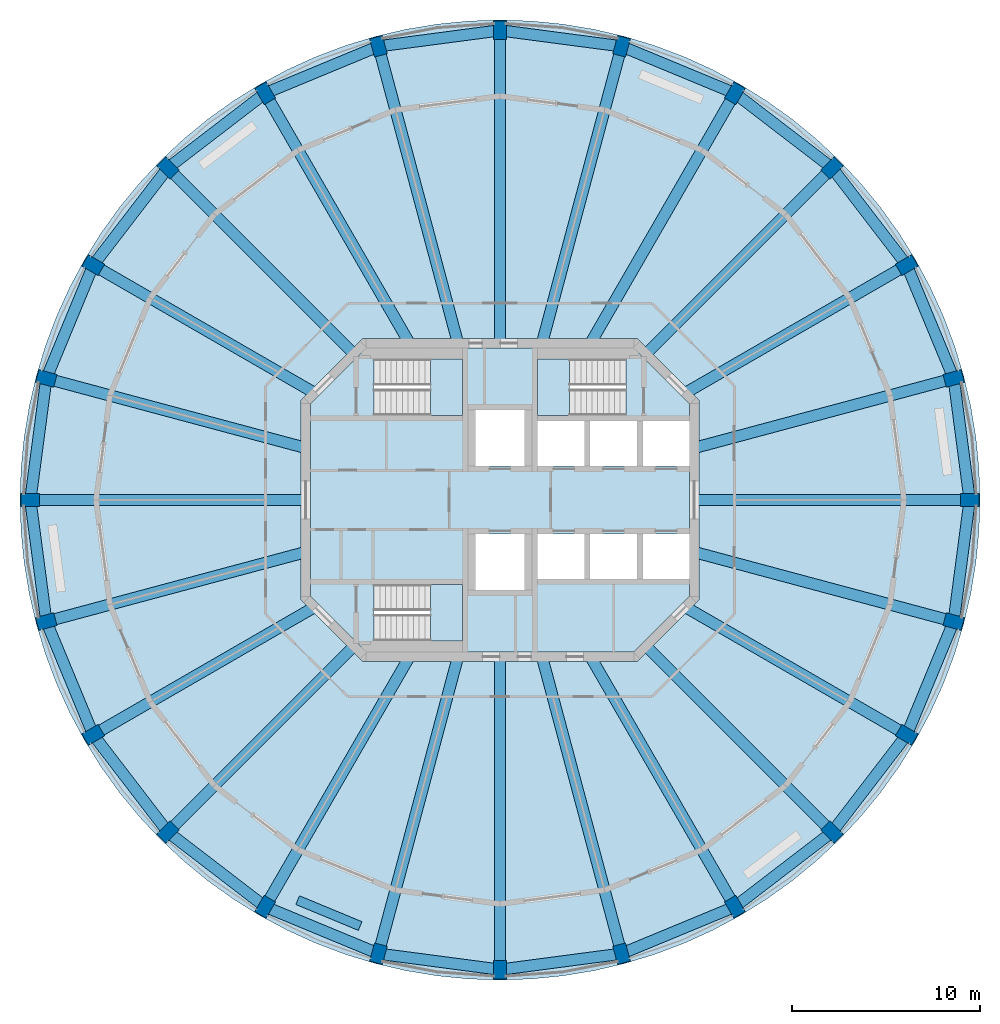
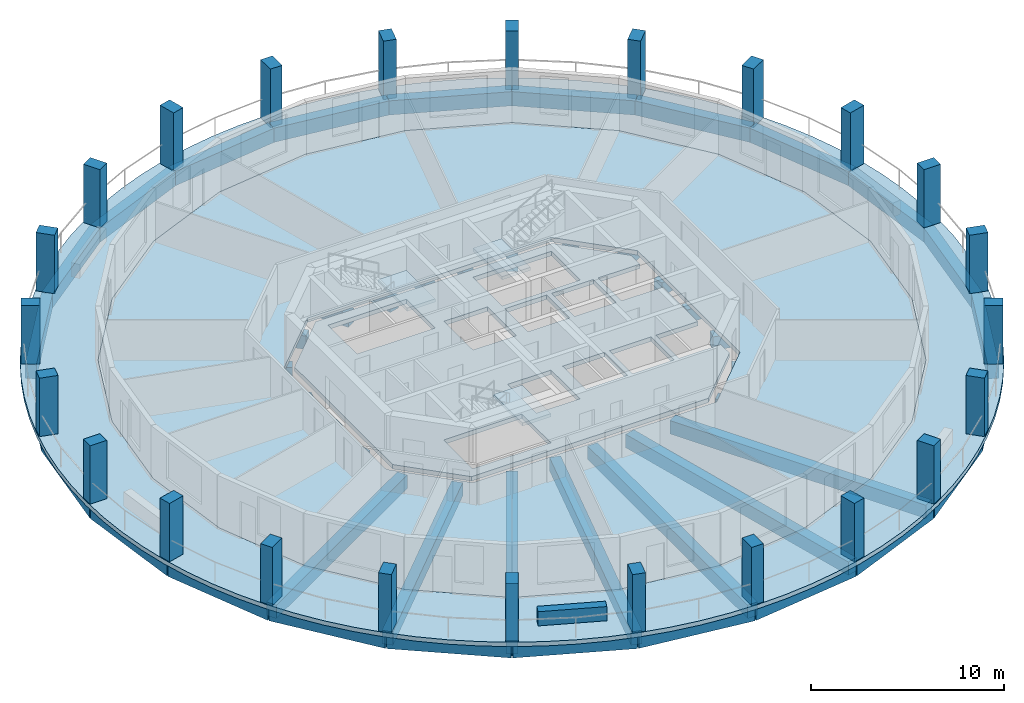
# One storey, part 1 of 8: 48 beams, 24 columns, 6 slabs, 1 wall, 3 elements without a shape of their own.
"""IFC4 building model written with IfcOpenShell, lengths in metres."""

from ifc_helpers import new_model, si_unit, direction, frame, frame_2d, origin, origin_2d, place, context, subcontext, project, spatial, polyline, rectangle, outline, extrude, material, layer, layer_set, material_profile, profile_set, type_object, element, aggregate, save


model = new_model("IFC4")

# Units and contexts
model_context = context("Model", 3, precision=1e-05, world=origin(), true_north=direction((0.0, 1.0)))
body_context = subcontext(model_context, "Body", "Model", "MODEL_VIEW")
ifc_project = project(units=[si_unit("LENGTHUNIT", "METRE"), si_unit("AREAUNIT", "SQUARE_METRE"), si_unit("VOLUMEUNIT", "CUBIC_METRE"), si_unit("PLANEANGLEUNIT", "RADIAN"), si_unit("MASSUNIT", "GRAM", prefix="KILO")], contexts=[model_context])

# Site, building, storey
site_placement = place(None, origin())
site = spatial("IfcSite", under=ifc_project, at=site_placement, CompositionType="ELEMENT")
building_placement = place(site_placement, origin())
building = spatial("IfcBuilding", under=site, at=building_placement, Name="Torre Triforio", CompositionType="ELEMENT")
storey_placement = place(building_placement, frame((0.0, 0.0, 283.39990234375)))
storey = spatial("IfcBuildingStorey", under=building, at=storey_placement, Name="L65", CompositionType="ELEMENT", Elevation=283.39990234375)

# Columns
ifc_material_1 = material(Name="Concrete C40", Category="concrete")
ifc_material_profile_1 = material_profile(ifc_material_1, rectangle(XDim=0.699951171875, YDim=1.0, at=origin_2d()), Name="RC 700x1000")
ifc_profile_set_1 = profile_set([ifc_material_profile_1], Name="Concrete C40")
column_type = type_object("IfcColumnType", Name="Pier RC 700x1000 C40", PredefinedType="COLUMN", material=ifc_profile_set_1)
for number, where, z_axis, x_axis, name in (
    (1, (25.0, 0.0, 0.0), (0.0, 0.0, 1.0), (0.0, 1.0, 0.0), "COL.R.L65.00"),
    (2, (24.148193359375, 6.470458984375, 0.0), (0.0, 0.0, 1.0), (-0.258819045103, 0.965925826289, 0.0), "COL.R.L65.01"),
    (3, (21.650634765625, 12.5, 0.0), (0.0, 0.0, 1.0), (-0.5, 0.866025403784, 0.0), "COL.R.L65.02"),
    (4, (17.677734375, 17.677734375, 0.0), (0.0, 0.0, 1.0), (-0.707106781187, 0.707106781187, 0.0), "COL.R.L65.03"),
    (5, (12.5, 21.650634765625, 0.0), (0.0, 0.0, 1.0), (-0.866025403784, 0.5, 0.0), "COL.R.L65.04"),
    (6, (6.470458984375, 24.148193359375, 0.0), (0.0, 0.0, 1.0), (-0.965925826289, 0.258819045103, 0.0), "COL.R.L65.05"),
    (7, (0.0, 25.0, 0.0), (0.0, 0.0, 1.0), (-1.0, 0.0, 0.0), "COL.R.L65.06"),
    (8, (-6.470458984375, 24.148193359375, 0.0), (0.0, 0.0, 1.0), (-0.965925826289, -0.258819045103, 0.0), "COL.R.L65.07"),
    (9, (-12.5, 21.650634765625, 0.0), (0.0, 0.0, 1.0), (-0.866025403784, -0.5, 0.0), "COL.R.L65.08"),
    (10, (-17.677734375, 17.677734375, 0.0), (0.0, 0.0, 1.0), (-0.707106781187, -0.707106781187, 0.0), "COL.R.L65.09"),
    (11, (-21.650634765625, 12.5, 0.0), (0.0, 0.0, 1.0), (-0.5, -0.866025403784, 0.0), "COL.R.L65.10"),
    (12, (-24.148193359375, 6.470458984375, 0.0), (0.0, 0.0, 1.0), (-0.258819045103, -0.965925826289, 0.0), "COL.R.L65.11"),
    (13, (-25.0, 0.0, 0.0), (0.0, 0.0, 1.0), (0.0, -1.0, 0.0), "COL.R.L65.12"),
    (14, (-24.148193359375, -6.470458984375, 0.0), (0.0, 0.0, 1.0), (0.258819045103, -0.965925826289, 0.0), "COL.R.L65.13"),
    (15, (-21.650634765625, -12.5, 0.0), (0.0, 0.0, 1.0), (0.5, -0.866025403784, 0.0), "COL.R.L65.14"),
    (16, (-17.677734375, -17.677734375, 0.0), (0.0, 0.0, 1.0), (0.707106781187, -0.707106781187, 0.0), "COL.R.L65.15"),
    (17, (-12.5, -21.650634765625, 0.0), (0.0, 0.0, 1.0), (0.866025403784, -0.5, 0.0), "COL.R.L65.16"),
    (18, (-6.470458984375, -24.148193359375, 0.0), (0.0, 0.0, 1.0), (0.965925826289, -0.258819045103, 0.0), "COL.R.L65.17"),
    (19, (0.0, -25.0, 0.0), (0.0, 0.0, 1.0), (1.0, 0.0, 0.0), "COL.R.L65.18"),
    (20, (6.470458984375, -24.148193359375, 0.0), (0.0, 0.0, 1.0), (0.965925826289, 0.258819045103, 0.0), "COL.R.L65.19"),
    (21, (12.5, -21.650634765625, 0.0), (0.0, 0.0, 1.0), (0.866025403784, 0.5, 0.0), "COL.R.L65.20"),
    (22, (17.677734375, -17.677734375, 0.0), (0.0, 0.0, 1.0), (0.707106781187, 0.707106781187, 0.0), "COL.R.L65.21"),
    (23, (21.650634765625, -12.5, 0.0), (0.0, 0.0, 1.0), (0.5, 0.866025403784, 0.0), "COL.R.L65.22"),
    (24, (24.148193359375, -6.470458984375, 0.0), (0.0, 0.0, 1.0), (0.258819045103, 0.965925826289, 0.0), "COL.R.L65.23"),
):
    element("IfcColumn", number, at=place(storey_placement, frame(where, z_axis=z_axis, x_axis=x_axis)), inside=storey, type_object=column_type, Name=name, PredefinedType="COLUMN", context=body_context, shape_type="SweptSolid", body=[
        extrude(rectangle(XDim=0.699951171875, YDim=1.0, at=origin_2d()), origin(), (0.0, 0.0, 1.0), 3.7001953125),
    ])

# Beams
ifc_material_profile_2 = material_profile(ifc_material_1, rectangle(XDim=0.60009765625, YDim=0.85009765625, at=origin_2d()), Name="RC 600x850")
ifc_profile_set_2 = profile_set([ifc_material_profile_2], Name="Concrete C40")
beam_type_1 = type_object("IfcBeamType", Name="Radial beam RC 600x850 C40", PredefinedType="BEAM", material=ifc_profile_set_2)
beam_1_placement = place(storey_placement, frame((10.35009765625, 0.0, -0.704833984375), z_axis=(1.0, 0.0, 0.0), x_axis=(0.0, 1.0, 0.0)))
element("IfcBeam", 25, at=beam_1_placement, inside=storey, type_object=beam_type_1, Name="BM.R.L65.00", PredefinedType="BEAM", context=body_context, shape_type="SweptSolid", body=[
    extrude(rectangle(XDim=0.60009765625, YDim=0.85009765625, at=origin_2d()), origin(), (0.0, 0.0, 1.0), 14.64990234375),
])
beam_2_placement = place(storey_placement, frame((10.35009765625, 2.773193359375, -0.704833984375), z_axis=(0.965924478271, 0.258824075923, 0.0), x_axis=(-0.258824075923, 0.965924478271, 0.0)))
element("IfcBeam", 26, at=beam_2_placement, inside=storey, type_object=beam_type_1, Name="BM.R.L65.01", PredefinedType="BEAM", context=body_context, shape_type="SweptSolid", body=[
    extrude(rectangle(XDim=0.60009765625, YDim=0.85009765625, at=origin_2d()), origin(), (0.0, 0.0, 1.0), 14.284912109375),
])
beam_3_placement = place(storey_placement, frame((9.860595703125, 5.693115234375, -0.704833984375), z_axis=(0.866028503669, 0.499994630804, 0.0), x_axis=(-0.499994630804, 0.866028503669, 0.0)))
element("IfcBeam", 27, at=beam_3_placement, inside=storey, type_object=beam_type_1, Name="BM.R.L65.02", PredefinedType="BEAM", context=body_context, shape_type="SweptSolid", body=[
    extrude(rectangle(XDim=0.60009765625, YDim=0.85009765625, at=origin_2d()), origin(), (0.0, 0.0, 1.0), 13.614013671875),
])
beam_4_placement = place(storey_placement, frame((7.77685546875, 7.77685546875, -0.704833984375), z_axis=(0.707106781187, 0.707106781187, 0.0), x_axis=(-0.707106781187, 0.707106781187, 0.0)))
element("IfcBeam", 28, at=beam_4_placement, inside=storey, type_object=beam_type_1, Name="BM.R.L65.03", PredefinedType="BEAM", context=body_context, shape_type="SweptSolid", body=[
    extrude(rectangle(XDim=0.60009765625, YDim=0.85009765625, at=origin_2d()), origin(), (0.0, 0.0, 1.0), 14.001953125),
])
beam_5_placement = place(storey_placement, frame((4.82080078125, 8.35009765625, -0.704833984375), z_axis=(0.500006374672, 0.866021723334, 0.0), x_axis=(-0.866021723334, 0.500006374672, 0.0)))
element("IfcBeam", 29, at=beam_5_placement, inside=storey, type_object=beam_type_1, Name="BM.R.L65.04", PredefinedType="BEAM", context=body_context, shape_type="SweptSolid", body=[
    extrude(rectangle(XDim=0.60009765625, YDim=0.85009765625, at=origin_2d()), origin(), (0.0, 0.0, 1.0), 15.358154296875),
])
beam_6_placement = place(storey_placement, frame((2.2373046875, 8.35009765625, -0.704833984375), z_axis=(0.258822884948, 0.965924797397, 0.0), x_axis=(-0.965924797397, 0.258822884948, 0.0)))
element("IfcBeam", 30, at=beam_6_placement, inside=storey, type_object=beam_type_1, Name="BM.R.L65.05", PredefinedType="BEAM", context=body_context, shape_type="SweptSolid", body=[
    extrude(rectangle(XDim=0.60009765625, YDim=0.85009765625, at=origin_2d()), origin(), (0.0, 0.0, 1.0), 16.35546875),
])
beam_7_placement = place(storey_placement, frame((0.0, 8.35009765625, -0.704833984375), z_axis=(0.0, 1.0, 0.0), x_axis=(-1.0, 0.0, 0.0)))
element("IfcBeam", 31, at=beam_7_placement, inside=storey, type_object=beam_type_1, Name="BM.R.L65.06", PredefinedType="BEAM", context=body_context, shape_type="SweptSolid", body=[
    extrude(rectangle(XDim=0.60009765625, YDim=0.85009765625, at=origin_2d()), origin(), (0.0, 0.0, 1.0), 16.64990234375),
])
beam_8_placement = place(storey_placement, frame((-2.2373046875, 8.35009765625, -0.704833984375), z_axis=(-0.258822884948, 0.965924797397, 0.0), x_axis=(-0.965924797397, -0.258822884948, 0.0)))
element("IfcBeam", 32, at=beam_8_placement, inside=storey, type_object=beam_type_1, Name="BM.R.L65.07", PredefinedType="BEAM", context=body_context, shape_type="SweptSolid", body=[
    extrude(rectangle(XDim=0.60009765625, YDim=0.85009765625, at=origin_2d()), origin(), (0.0, 0.0, 1.0), 16.35546875),
])
beam_9_placement = place(storey_placement, frame((-4.82080078125, 8.35009765625, -0.704833984375), z_axis=(-0.500006374672, 0.866021723334, 0.0), x_axis=(-0.866021723334, -0.500006374672, 0.0)))
element("IfcBeam", 33, at=beam_9_placement, inside=storey, type_object=beam_type_1, Name="BM.R.L65.08", PredefinedType="BEAM", context=body_context, shape_type="SweptSolid", body=[
    extrude(rectangle(XDim=0.60009765625, YDim=0.85009765625, at=origin_2d()), origin(), (0.0, 0.0, 1.0), 15.358154296875),
])
beam_10_placement = place(storey_placement, frame((-7.77685546875, 7.77685546875, -0.704833984375), z_axis=(-0.707106781187, 0.707106781187, 0.0), x_axis=(-0.707106781187, -0.707106781187, 0.0)))
element("IfcBeam", 34, at=beam_10_placement, inside=storey, type_object=beam_type_1, Name="BM.R.L65.09", PredefinedType="BEAM", context=body_context, shape_type="SweptSolid", body=[
    extrude(rectangle(XDim=0.60009765625, YDim=0.85009765625, at=origin_2d()), origin(), (0.0, 0.0, 1.0), 14.001953125),
])
beam_11_placement = place(storey_placement, frame((-9.860595703125, 5.693115234375, -0.704833984375), z_axis=(-0.866028503669, 0.499994630804, 0.0), x_axis=(-0.499994630804, -0.866028503669, 0.0)))
element("IfcBeam", 35, at=beam_11_placement, inside=storey, type_object=beam_type_1, Name="BM.R.L65.10", PredefinedType="BEAM", context=body_context, shape_type="SweptSolid", body=[
    extrude(rectangle(XDim=0.60009765625, YDim=0.85009765625, at=origin_2d()), origin(), (0.0, 0.0, 1.0), 13.614013671875),
])
beam_12_placement = place(storey_placement, frame((-10.35009765625, 2.773193359375, -0.704833984375), z_axis=(-0.965924478271, 0.258824075923, 0.0), x_axis=(-0.258824075923, -0.965924478271, 0.0)))
element("IfcBeam", 36, at=beam_12_placement, inside=storey, type_object=beam_type_1, Name="BM.R.L65.11", PredefinedType="BEAM", context=body_context, shape_type="SweptSolid", body=[
    extrude(rectangle(XDim=0.60009765625, YDim=0.85009765625, at=origin_2d()), origin(), (0.0, 0.0, 1.0), 14.284912109375),
])
beam_13_placement = place(storey_placement, frame((-10.35009765625, 0.0, -0.704833984375), z_axis=(-1.0, 0.0, 0.0), x_axis=(0.0, -1.0, 0.0)))
element("IfcBeam", 37, at=beam_13_placement, inside=storey, type_object=beam_type_1, Name="BM.R.L65.12", PredefinedType="BEAM", context=body_context, shape_type="SweptSolid", body=[
    extrude(rectangle(XDim=0.60009765625, YDim=0.85009765625, at=origin_2d()), origin(), (0.0, 0.0, 1.0), 14.64990234375),
])
beam_14_placement = place(storey_placement, frame((-10.35009765625, -2.773193359375, -0.704833984375), z_axis=(-0.965924478271, -0.258824075923, 0.0), x_axis=(0.258824075923, -0.965924478271, 0.0)))
element("IfcBeam", 38, at=beam_14_placement, inside=storey, type_object=beam_type_1, Name="BM.R.L65.13", PredefinedType="BEAM", context=body_context, shape_type="SweptSolid", body=[
    extrude(rectangle(XDim=0.60009765625, YDim=0.85009765625, at=origin_2d()), origin(), (0.0, 0.0, 1.0), 14.284912109375),
])
beam_15_placement = place(storey_placement, frame((-9.860595703125, -5.693115234375, -0.704833984375), z_axis=(-0.866028503669, -0.499994630804, 0.0), x_axis=(0.499994630804, -0.866028503669, 0.0)))
element("IfcBeam", 39, at=beam_15_placement, inside=storey, type_object=beam_type_1, Name="BM.R.L65.14", PredefinedType="BEAM", context=body_context, shape_type="SweptSolid", body=[
    extrude(rectangle(XDim=0.60009765625, YDim=0.85009765625, at=origin_2d()), origin(), (0.0, 0.0, 1.0), 13.614013671875),
])
beam_16_placement = place(storey_placement, frame((-7.77685546875, -7.77685546875, -0.704833984375), z_axis=(-0.707106781187, -0.707106781187, 0.0), x_axis=(0.707106781187, -0.707106781187, 0.0)))
element("IfcBeam", 40, at=beam_16_placement, inside=storey, type_object=beam_type_1, Name="BM.R.L65.15", PredefinedType="BEAM", context=body_context, shape_type="SweptSolid", body=[
    extrude(rectangle(XDim=0.60009765625, YDim=0.85009765625, at=origin_2d()), origin(), (0.0, 0.0, 1.0), 14.001953125),
])
beam_17_placement = place(storey_placement, frame((-4.82080078125, -8.35009765625, -0.704833984375), z_axis=(-0.500006374672, -0.866021723334, 0.0), x_axis=(0.866021723334, -0.500006374672, 0.0)))
element("IfcBeam", 41, at=beam_17_placement, inside=storey, type_object=beam_type_1, Name="BM.R.L65.16", PredefinedType="BEAM", context=body_context, shape_type="SweptSolid", body=[
    extrude(rectangle(XDim=0.60009765625, YDim=0.85009765625, at=origin_2d()), origin(), (0.0, 0.0, 1.0), 15.358154296875),
])
beam_18_placement = place(storey_placement, frame((-2.2373046875, -8.35009765625, -0.704833984375), z_axis=(-0.258822884948, -0.965924797397, 0.0), x_axis=(0.965924797397, -0.258822884948, 0.0)))
element("IfcBeam", 42, at=beam_18_placement, inside=storey, type_object=beam_type_1, Name="BM.R.L65.17", PredefinedType="BEAM", context=body_context, shape_type="SweptSolid", body=[
    extrude(rectangle(XDim=0.60009765625, YDim=0.85009765625, at=origin_2d()), origin(), (0.0, 0.0, 1.0), 16.35546875),
])
beam_19_placement = place(storey_placement, frame((0.0, -8.35009765625, -0.704833984375), z_axis=(0.0, -1.0, 0.0), x_axis=(1.0, 0.0, 0.0)))
element("IfcBeam", 43, at=beam_19_placement, inside=storey, type_object=beam_type_1, Name="BM.R.L65.18", PredefinedType="BEAM", context=body_context, shape_type="SweptSolid", body=[
    extrude(rectangle(XDim=0.60009765625, YDim=0.85009765625, at=origin_2d()), origin(), (0.0, 0.0, 1.0), 16.64990234375),
])
beam_20_placement = place(storey_placement, frame((2.2373046875, -8.35009765625, -0.704833984375), z_axis=(0.258822884948, -0.965924797397, 0.0), x_axis=(0.965924797397, 0.258822884948, 0.0)))
element("IfcBeam", 44, at=beam_20_placement, inside=storey, type_object=beam_type_1, Name="BM.R.L65.19", PredefinedType="BEAM", context=body_context, shape_type="SweptSolid", body=[
    extrude(rectangle(XDim=0.60009765625, YDim=0.85009765625, at=origin_2d()), origin(), (0.0, 0.0, 1.0), 16.35546875),
])
beam_21_placement = place(storey_placement, frame((4.82080078125, -8.35009765625, -0.704833984375), z_axis=(0.500006374672, -0.866021723334, 0.0), x_axis=(0.866021723334, 0.500006374672, 0.0)))
element("IfcBeam", 45, at=beam_21_placement, inside=storey, type_object=beam_type_1, Name="BM.R.L65.20", PredefinedType="BEAM", context=body_context, shape_type="SweptSolid", body=[
    extrude(rectangle(XDim=0.60009765625, YDim=0.85009765625, at=origin_2d()), origin(), (0.0, 0.0, 1.0), 15.358154296875),
])
beam_22_placement = place(storey_placement, frame((7.77685546875, -7.77685546875, -0.704833984375), z_axis=(0.707106781187, -0.707106781187, 0.0), x_axis=(0.707106781187, 0.707106781187, 0.0)))
element("IfcBeam", 46, at=beam_22_placement, inside=storey, type_object=beam_type_1, Name="BM.R.L65.21", PredefinedType="BEAM", context=body_context, shape_type="SweptSolid", body=[
    extrude(rectangle(XDim=0.60009765625, YDim=0.85009765625, at=origin_2d()), origin(), (0.0, 0.0, 1.0), 14.001953125),
])
beam_23_placement = place(storey_placement, frame((9.860595703125, -5.693115234375, -0.704833984375), z_axis=(0.866028503669, -0.499994630804, 0.0), x_axis=(0.499994630804, 0.866028503669, 0.0)))
element("IfcBeam", 47, at=beam_23_placement, inside=storey, type_object=beam_type_1, Name="BM.R.L65.22", PredefinedType="BEAM", context=body_context, shape_type="SweptSolid", body=[
    extrude(rectangle(XDim=0.60009765625, YDim=0.85009765625, at=origin_2d()), origin(), (0.0, 0.0, 1.0), 13.614013671875),
])
beam_24_placement = place(storey_placement, frame((10.35009765625, -2.773193359375, -0.704833984375), z_axis=(0.965924478271, -0.258824075923, 0.0), x_axis=(0.258824075923, 0.965924478271, 0.0)))
element("IfcBeam", 48, at=beam_24_placement, inside=storey, type_object=beam_type_1, Name="BM.R.L65.23", PredefinedType="BEAM", context=body_context, shape_type="SweptSolid", body=[
    extrude(rectangle(XDim=0.60009765625, YDim=0.85009765625, at=origin_2d()), origin(), (0.0, 0.0, 1.0), 14.284912109375),
])
ifc_material_profile_3 = material_profile(ifc_material_1, rectangle(XDim=0.60009765625, YDim=0.89990234375, at=origin_2d()), Name="RC 600x900")
ifc_profile_set_3 = profile_set([ifc_material_profile_3], Name="Concrete C40")
beam_type_2 = type_object("IfcBeamType", Name="Spandrel beam RC 600x900 C40", PredefinedType="SPANDREL", material=ifc_profile_set_3)
for number, where, z_axis, x_axis, name in (
    (49, (25.0, 0.0, -0.72998046875), (-0.130519347444, 0.991445762482, 0.0), (-0.991445762482, -0.130519347444, 0.0), "BM.S.L65.00"),
    (50, (24.148193359375, 6.470458984375, -0.72998046875), (-0.382688785449, 0.923877315173, 0.0), (-0.923877315173, -0.382688785449, 0.0), "BM.S.L65.01"),
    (51, (21.650634765625, 12.5, -0.72998046875), (-0.608750344722, 0.793361845441, 0.0), (-0.793361845441, -0.608750344722, 0.0), "BM.S.L65.02"),
    (52, (17.677734375, 17.677734375, -0.72998046875), (-0.793361845441, 0.608750344722, 0.0), (-0.608750344722, -0.793361845441, 0.0), "BM.S.L65.03"),
    (53, (12.5, 21.650634765625, -0.72998046875), (-0.923877315173, 0.382688785449, 0.0), (-0.382688785449, -0.923877315173, 0.0), "BM.S.L65.04"),
    (54, (6.470458984375, 24.148193359375, -0.72998046875), (-0.991445762482, 0.130519347444, 0.0), (-0.130519347444, -0.991445762482, 0.0), "BM.S.L65.05"),
    (55, (0.0, 25.0, -0.72998046875), (-0.991445762482, -0.130519347444, 0.0), (0.130519347444, -0.991445762482, 0.0), "BM.S.L65.06"),
    (56, (-6.470458984375, 24.148193359375, -0.72998046875), (-0.923877315173, -0.382688785449, 0.0), (0.382688785449, -0.923877315173, 0.0), "BM.S.L65.07"),
    (57, (-12.5, 21.650634765625, -0.72998046875), (-0.793361845441, -0.608750344722, 0.0), (0.608750344722, -0.793361845441, 0.0), "BM.S.L65.08"),
    (58, (-17.677734375, 17.677734375, -0.72998046875), (-0.608750344722, -0.793361845441, 0.0), (0.793361845441, -0.608750344722, 0.0), "BM.S.L65.09"),
    (59, (-21.650634765625, 12.5, -0.72998046875), (-0.382688785449, -0.923877315173, 0.0), (0.923877315173, -0.382688785449, 0.0), "BM.S.L65.10"),
    (60, (-24.148193359375, 6.470458984375, -0.72998046875), (-0.130519347444, -0.991445762482, 0.0), (0.991445762482, -0.130519347444, 0.0), "BM.S.L65.11"),
    (61, (-25.0, 0.0, -0.72998046875), (0.130519347444, -0.991445762482, 0.0), (0.991445762482, 0.130519347444, 0.0), "BM.S.L65.12"),
    (62, (-24.148193359375, -6.470458984375, -0.72998046875), (0.382688785449, -0.923877315173, 0.0), (0.923877315173, 0.382688785449, 0.0), "BM.S.L65.13"),
    (63, (-21.650634765625, -12.5, -0.72998046875), (0.608750344722, -0.793361845441, 0.0), (0.793361845441, 0.608750344722, 0.0), "BM.S.L65.14"),
    (64, (-17.677734375, -17.677734375, -0.72998046875), (0.793361845441, -0.608750344722, 0.0), (0.608750344722, 0.793361845441, 0.0), "BM.S.L65.15"),
    (65, (-12.5, -21.650634765625, -0.72998046875), (0.923877315173, -0.382688785449, 0.0), (0.382688785449, 0.923877315173, 0.0), "BM.S.L65.16"),
    (66, (-6.470458984375, -24.148193359375, -0.72998046875), (0.991445762482, -0.130519347444, 0.0), (0.130519347444, 0.991445762482, 0.0), "BM.S.L65.17"),
    (67, (0.0, -25.0, -0.72998046875), (0.991445762482, 0.130519347444, 0.0), (-0.130519347444, 0.991445762482, 0.0), "BM.S.L65.18"),
    (68, (6.470458984375, -24.148193359375, -0.72998046875), (0.923877315173, 0.382688785449, 0.0), (-0.382688785449, 0.923877315173, 0.0), "BM.S.L65.19"),
    (69, (12.5, -21.650634765625, -0.72998046875), (0.793361845441, 0.608750344722, 0.0), (-0.608750344722, 0.793361845441, 0.0), "BM.S.L65.20"),
    (70, (17.677734375, -17.677734375, -0.72998046875), (0.608750344722, 0.793361845441, 0.0), (-0.793361845441, 0.608750344722, 0.0), "BM.S.L65.21"),
    (71, (21.650634765625, -12.5, -0.72998046875), (0.382688785449, 0.923877315173, 0.0), (-0.923877315173, 0.382688785449, 0.0), "BM.S.L65.22"),
    (72, (24.148193359375, -6.470458984375, -0.72998046875), (0.130519347444, 0.991445762482, 0.0), (-0.991445762482, 0.130519347444, 0.0), "BM.S.L65.23"),
):
    element("IfcBeam", number, at=place(storey_placement, frame(where, z_axis=z_axis, x_axis=x_axis)), inside=storey, type_object=beam_type_2, Name=name, PredefinedType="SPANDREL", context=body_context, shape_type="SweptSolid", body=[
        extrude(rectangle(XDim=0.60009765625, YDim=0.89990234375, at=origin_2d()), origin(), (0.0, 0.0, 1.0), 6.5263671875),
    ])

# Slabs
ifc_layer_1 = layer(ifc_material_1, 0.280029296875)
ifc_layer_set_1 = layer_set([ifc_layer_1], Name="Concrete C40")
slab_type_1 = type_object("IfcSlabType", Name="Core floor slab 280 mm C40 REI 120", PredefinedType="FLOOR", material=ifc_layer_set_1)
slab_1_placement = place(storey_placement, frame((0.0, 0.0, -0.27978515625)))
element("IfcSlab", 73, at=slab_1_placement, inside=storey, type_object=slab_type_1, Name="Core floor slab", PredefinedType="FLOOR", context=body_context, shape_type="SweptSolid", body=[
    extrude(outline(polyline([(10.10009765625, -5.10009765625), (7.10009765625, -8.10009765625), (-7.10009765625, -8.10009765625), (-10.10009765625, -5.10009765625), (-10.10009765625, 5.10009765625), (-7.10009765625, 8.10009765625), (7.10009765625, 8.10009765625), (10.10009765625, 5.10009765625), (10.10009765625, 4.199951171875), (7.60009765625, 4.199951171875), (7.60009765625, 1.800048828125), (10.10009765625, 1.800048828125), (10.10009765625, -1.800048828125), (7.60009765625, -1.800048828125), (7.60009765625, -4.199951171875), (10.10009765625, -4.199951171875), (10.10009765625, -5.10009765625)]), holes=[polyline([(-6.696044921875, -4.5), (-6.696044921875, -7.5), (-2.0, -7.5), (-2.0, -4.5), (-6.696044921875, -4.5)]), polyline([(-1.300048828125, -1.800048828125), (-1.300048828125, -4.800048828125), (1.300048828125, -4.800048828125), (1.300048828125, -1.800048828125), (-1.300048828125, -1.800048828125)]), polyline([(2.0, -1.800048828125), (2.0, -4.199951171875), (4.5, -4.199951171875), (4.5, -1.800048828125), (2.0, -1.800048828125)]), polyline([(4.5, 4.199951171875), (2.0, 4.199951171875), (2.0, 1.800048828125), (4.5, 1.800048828125), (4.5, 4.199951171875)]), polyline([(1.300048828125, 4.800048828125), (-1.300048828125, 4.800048828125), (-1.300048828125, 1.800048828125), (1.300048828125, 1.800048828125), (1.300048828125, 4.800048828125)]), polyline([(-6.696044921875, 7.5), (-6.696044921875, 4.5), (-2.0, 4.5), (-2.0, 7.5), (-6.696044921875, 7.5)]), polyline([(7.300048828125, -1.800048828125), (4.800048828125, -1.800048828125), (4.800048828125, -4.199951171875), (7.300048828125, -4.199951171875), (7.300048828125, -1.800048828125)]), polyline([(4.800048828125, 4.199951171875), (4.800048828125, 1.800048828125), (7.300048828125, 1.800048828125), (7.300048828125, 4.199951171875), (4.800048828125, 4.199951171875)]), polyline([(6.696044921875, 7.5), (2.0, 7.5), (2.0, 4.5), (6.696044921875, 4.5), (6.696044921875, 7.5)])]), origin(), (0.0, 0.0, 1.0), 0.27978515625),
])
ifc_layer_2 = layer(ifc_material_1, 0.280029296875)
ifc_layer_set_2 = layer_set([ifc_layer_2], Name="Concrete C40")
slab_type_2 = type_object("IfcSlabType", Name="Floor slab 280 C40", PredefinedType="FLOOR", material=ifc_layer_set_2)
slab_2_placement = place(storey_placement, frame((0.0, 0.0, -0.27978515625)))
element("IfcSlab", 74, at=slab_2_placement, inside=storey, type_object=slab_type_2, Name="SL.L65", PredefinedType="FLOOR", context=body_context, shape_type="SweptSolid", body=[
    extrude(outline(polyline([(18.61962890625, -10.75), (20.767333984375, -5.564697265625), (21.5, 0.0), (20.767333984375, 5.564697265625), (18.61962890625, 10.75), (15.202880859375, 15.202880859375), (10.75, 18.61962890625), (5.564697265625, 20.767333984375), (0.0, 21.5), (-5.564697265625, 20.767333984375), (-10.75, 18.61962890625), (-15.202880859375, 15.202880859375), (-18.61962890625, 10.75), (-20.767333984375, 5.564697265625), (-21.5, 0.0), (-20.767333984375, -5.564697265625), (-18.61962890625, -10.75), (-15.202880859375, -15.202880859375), (-10.75, -18.61962890625), (-5.564697265625, -20.767333984375), (0.0, -21.5), (5.564697265625, -20.767333984375), (10.75, -18.61962890625), (15.202880859375, -15.202880859375), (18.61962890625, -10.75)]), holes=[polyline([(10.60009765625, 5.30712890625), (10.60009765625, -5.30712890625), (7.30712890625, -8.60009765625), (-7.30712890625, -8.60009765625), (-10.60009765625, -5.30712890625), (-10.60009765625, 5.30712890625), (-7.30712890625, 8.60009765625), (7.30712890625, 8.60009765625), (10.60009765625, 5.30712890625)])]), origin(), (0.0, 0.0, 1.0), 0.27978515625),
])
ifc_layer_3 = layer(ifc_material_1, 0.280029296875)
ifc_layer_set_3 = layer_set([ifc_layer_3], Name="Concrete C40")
slab_type_3 = type_object("IfcSlabType", Name="Loggia slab 280 C40", PredefinedType="FLOOR", material=ifc_layer_set_3)
slab_3_placement = place(storey_placement, frame((0.0, 0.0, -0.27978515625)))
element("IfcSlab", 75, at=slab_3_placement, inside=storey, type_object=slab_type_3, Name="SL.L65.LG", PredefinedType="FLOOR", context=body_context, shape_type="SweptSolid", body=[
    extrude(outline(polyline([(25.495361328125, -1.671142578125), (25.550048828125, 0.0), (25.495361328125, 1.671142578125), (25.331298828125, 3.3349609375), (25.05908203125, 4.984619140625), (24.679443359375, 6.61279296875), (24.194091796875, 8.212890625), (23.605224609375, 9.777587890625), (22.9150390625, 11.300537109375), (22.126953125, 12.77490234375), (21.244140625, 14.19482421875), (20.270263671875, 15.553955078125), (19.20947265625, 16.84619140625), (18.066650390625, 18.066650390625), (16.84619140625, 19.20947265625), (15.553955078125, 20.270263671875), (14.19482421875, 21.244140625), (12.77490234375, 22.126953125), (11.300537109375, 22.9150390625), (9.777587890625, 23.605224609375), (8.212890625, 24.194091796875), (6.61279296875, 24.679443359375), (4.984619140625, 25.05908203125), (3.3349609375, 25.331298828125), (1.671142578125, 25.495361328125), (0.0, 25.550048828125), (-1.671142578125, 25.495361328125), (-3.3349609375, 25.331298828125), (-4.984619140625, 25.05908203125), (-6.61279296875, 24.679443359375), (-8.212890625, 24.194091796875), (-9.777587890625, 23.605224609375), (-11.300537109375, 22.9150390625), (-12.77490234375, 22.126953125), (-14.19482421875, 21.244140625), (-15.553955078125, 20.270263671875), (-16.84619140625, 19.20947265625), (-18.066650390625, 18.066650390625), (-19.20947265625, 16.84619140625), (-20.270263671875, 15.553955078125), (-21.244140625, 14.19482421875), (-22.126953125, 12.77490234375), (-22.9150390625, 11.300537109375), (-23.605224609375, 9.777587890625), (-24.194091796875, 8.212890625), (-24.679443359375, 6.61279296875), (-25.05908203125, 4.984619140625), (-25.331298828125, 3.3349609375), (-25.495361328125, 1.671142578125), (-25.550048828125, 0.0), (-25.495361328125, -1.671142578125), (-25.331298828125, -3.3349609375), (-25.05908203125, -4.984619140625), (-24.679443359375, -6.61279296875), (-24.194091796875, -8.212890625), (-23.605224609375, -9.777587890625), (-22.9150390625, -11.300537109375), (-22.126953125, -12.77490234375), (-21.244140625, -14.19482421875), (-20.270263671875, -15.553955078125), (-19.20947265625, -16.84619140625), (-18.066650390625, -18.066650390625), (-16.84619140625, -19.20947265625), (-15.553955078125, -20.270263671875), (-14.19482421875, -21.244140625), (-12.77490234375, -22.126953125), (-11.300537109375, -22.9150390625), (-9.777587890625, -23.605224609375), (-8.212890625, -24.194091796875), (-6.61279296875, -24.679443359375), (-4.984619140625, -25.05908203125), (-3.3349609375, -25.331298828125), (-1.671142578125, -25.495361328125), (0.0, -25.550048828125), (1.671142578125, -25.495361328125), (3.3349609375, -25.331298828125), (4.984619140625, -25.05908203125), (6.61279296875, -24.679443359375), (8.212890625, -24.194091796875), (9.777587890625, -23.605224609375), (11.300537109375, -22.9150390625), (12.77490234375, -22.126953125), (14.19482421875, -21.244140625), (15.553955078125, -20.270263671875), (16.84619140625, -19.20947265625), (18.066650390625, -18.066650390625), (19.20947265625, -16.84619140625), (20.270263671875, -15.553955078125), (21.244140625, -14.19482421875), (22.126953125, -12.77490234375), (22.9150390625, -11.300537109375), (23.605224609375, -9.777587890625), (24.194091796875, -8.212890625), (24.679443359375, -6.61279296875), (25.05908203125, -4.984619140625), (25.331298828125, -3.3349609375), (25.495361328125, -1.671142578125)]), holes=[polyline([(20.767333984375, 5.564697265625), (21.5, 0.0), (20.767333984375, -5.564697265625), (18.61962890625, -10.75), (15.202880859375, -15.202880859375), (10.75, -18.61962890625), (5.564697265625, -20.767333984375), (0.0, -21.5), (-5.564697265625, -20.767333984375), (-10.75, -18.61962890625), (-15.202880859375, -15.202880859375), (-18.61962890625, -10.75), (-20.767333984375, -5.564697265625), (-21.5, 0.0), (-20.767333984375, 5.564697265625), (-18.61962890625, 10.75), (-15.202880859375, 15.202880859375), (-10.75, 18.61962890625), (-5.564697265625, 20.767333984375), (0.0, 21.5), (5.564697265625, 20.767333984375), (10.75, 18.61962890625), (15.202880859375, 15.202880859375), (18.61962890625, 10.75), (20.767333984375, 5.564697265625)])]), origin(), (0.0, 0.0, 1.0), 0.27978515625),
])

# Stair, slab
stair_type = type_object("IfcStairType", Name="STAIR HALF-TURN", PredefinedType="HALF_TURN_STAIR", material=ifc_material_1)
stair_1_placement = place(storey_placement, origin())
stair_1 = element("IfcStair", 76, at=stair_1_placement, inside=storey, type_object=stair_type, Name="Exit stair 1", PredefinedType="HALF_TURN_STAIR")
ifc_layer_4 = layer(ifc_material_1, 0.199951171875)
ifc_layer_set_4 = layer_set([ifc_layer_4], Name="Concrete C40")
slab_type_4 = type_object("IfcSlabType", Name="STAIR LANDING 200", PredefinedType="LANDING", material=ifc_layer_set_4)
slab_4_placement = place(storey_placement, frame((0.0, 0.0, 1.650146484375)))
slab_4 = element("IfcSlab", 77, at=slab_4_placement, type_object=slab_type_4, Name="ST1 landing 1", PredefinedType="LANDING", context=body_context, shape_type="SweptSolid", body=[
    extrude(outline(polyline([(-2.0, 4.5), (-2.0, 7.5), (-3.699951171875, 7.5), (-3.699951171875, 4.5), (-2.0, 4.5)])), origin(), (0.0, 0.0, 1.0), 0.199951171875),
])
aggregate(stair_1, [slab_4])

stair_2_placement = place(storey_placement, origin())
stair_2 = element("IfcStair", 78, at=stair_2_placement, inside=storey, type_object=stair_type, Name="Exit stair 2", PredefinedType="HALF_TURN_STAIR")
slab_5_placement = place(storey_placement, frame((0.0, 0.0, 1.650146484375)))
slab_5 = element("IfcSlab", 79, at=slab_5_placement, type_object=slab_type_4, Name="ST2 landing 1", PredefinedType="LANDING", context=body_context, shape_type="SweptSolid", body=[
    extrude(outline(polyline([(3.699951171875, 4.5), (3.699951171875, 7.5), (2.0, 7.5), (2.0, 4.5), (3.699951171875, 4.5)])), origin(), (0.0, 0.0, 1.0), 0.199951171875),
])
aggregate(stair_2, [slab_5])

stair_3_placement = place(storey_placement, origin())
stair_3 = element("IfcStair", 80, at=stair_3_placement, inside=storey, type_object=stair_type, Name="Exit stair 3", PredefinedType="HALF_TURN_STAIR")
slab_6_placement = place(storey_placement, frame((0.0, 0.0, 1.650146484375)))
slab_6 = element("IfcSlab", 81, at=slab_6_placement, type_object=slab_type_4, Name="ST3 landing 1", PredefinedType="LANDING", context=body_context, shape_type="SweptSolid", body=[
    extrude(outline(polyline([(-2.0, -7.5), (-2.0, -4.5), (-3.699951171875, -4.5), (-3.699951171875, -7.5), (-2.0, -7.5)])), origin(), (0.0, 0.0, 1.0), 0.199951171875),
])
aggregate(stair_3, [slab_6])

# Wall
ifc_material_2 = material(Name="Limestone cladding", Category="masonry")
ifc_layer_5 = layer(ifc_material_2, 0.10009765625)
ifc_layer_6 = layer(ifc_material_1, 0.39990234375)
ifc_layer_set_5 = layer_set([ifc_layer_5, ifc_layer_6], Name="Limestone cladding / Concrete C40")
wall_type = type_object("IfcWallType", Name="Planter wall 500", PredefinedType="PARAPET", material=ifc_layer_set_5)
wall_placement = place(storey_placement, frame((-10.770751953125, -21.299560546875, 0.0), z_axis=(0.0, 0.0, 1.0), x_axis=(0.923875488976, -0.382693194178, 0.0)))
element("IfcWall", 82, at=wall_placement, inside=storey, type_object=wall_type, Name="Planter L65 bay 17", PredefinedType="PARAPET", context=body_context, shape_type="SweptSolid", body=[
    extrude(rectangle(XDim=3.599853515625, YDim=0.5, at=frame_2d((1.7998046875, 0.0))), origin(), (0.0, 0.0, 1.0), 0.900146484375),
])

save(model, "model.ifc")
